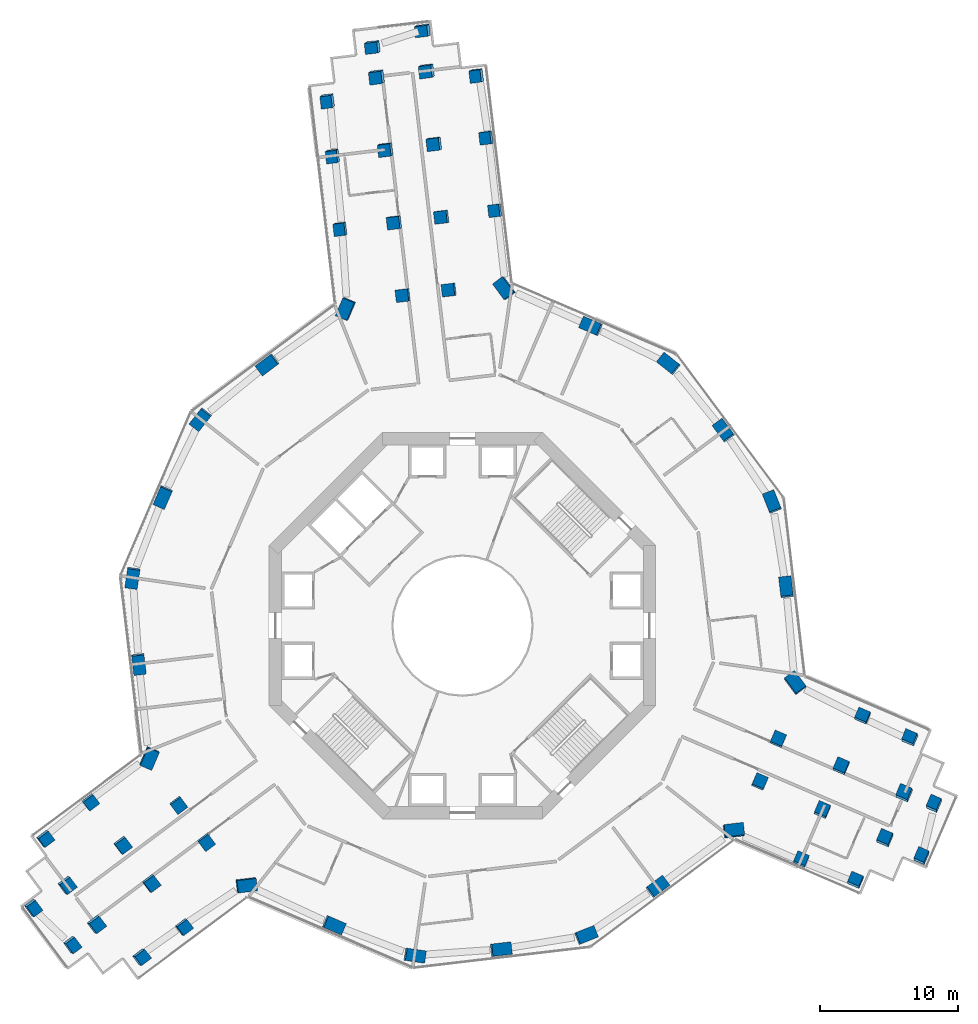
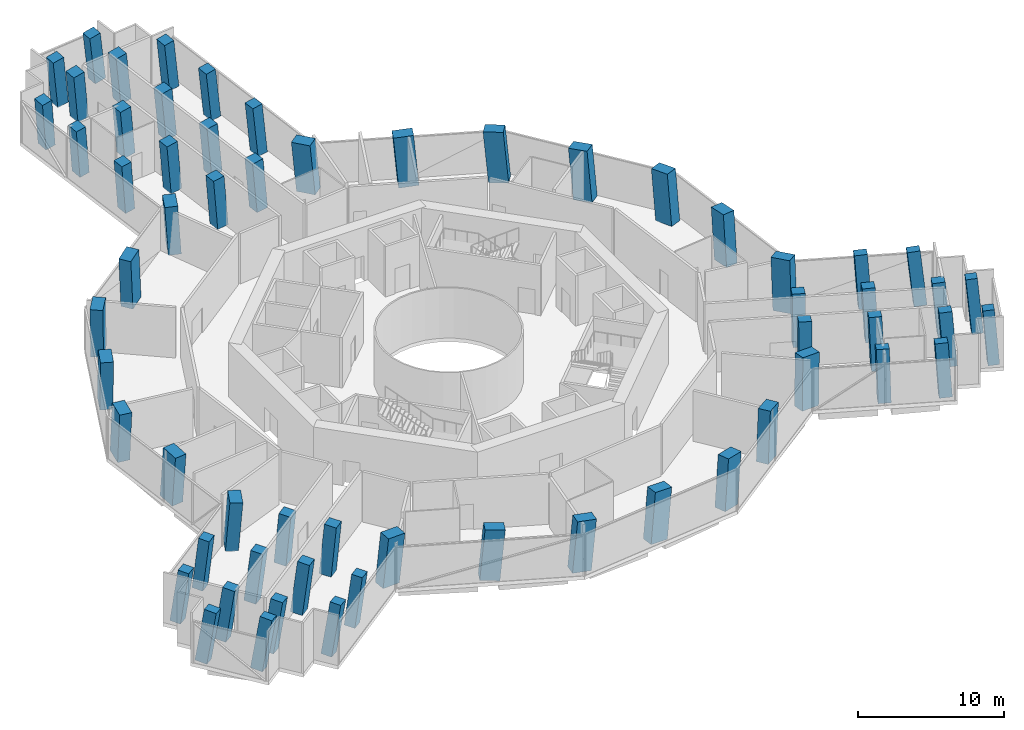
# One storey, part 1 of 17: 61 columns.
"""IFC4 building model written with IfcOpenShell, lengths in metres."""

from ifc_helpers import new_model, si_unit, direction, frame, origin, origin_2d, place, context, subcontext, project, spatial, rectangle, extrude, material, material_profile, profile_set, type_object, element, save


model = new_model("IFC4")

# Units and contexts
model_context = context("Model", 3, precision=1e-05, world=origin(), true_north=direction((0.0, 1.0)))
body_context = subcontext(model_context, "Body", "Model", "MODEL_VIEW")
ifc_project = project(units=[si_unit("LENGTHUNIT", "METRE"), si_unit("AREAUNIT", "SQUARE_METRE"), si_unit("VOLUMEUNIT", "CUBIC_METRE"), si_unit("PLANEANGLEUNIT", "RADIAN"), si_unit("MASSUNIT", "GRAM", prefix="KILO")], contexts=[model_context])

# Site, building, storey
site_placement = place(None, origin())
site = spatial("IfcSite", under=ifc_project, at=site_placement, CompositionType="ELEMENT")
building_placement = place(site_placement, origin())
building = spatial("IfcBuilding", under=site, at=building_placement, Name="Verdalira Terraces Hotel", CompositionType="ELEMENT")
storey_placement = place(building_placement, frame((0.0, 0.0, 60.0)))
storey = spatial("IfcBuildingStorey", under=building, at=storey_placement, Name="L13", CompositionType="ELEMENT", Elevation=60.0)

# Columns
ifc_material_1 = material(Name="Concrete C80", Category="concrete")
ifc_material_profile_1 = material_profile(ifc_material_1, rectangle(XDim=1.399902, YDim=0.899902, at=origin_2d()), Name="RC 1400X900")
ifc_profile_set_1 = profile_set([ifc_material_profile_1], Name="Concrete C80")
column_type_1 = type_object("IfcColumnType", Name="Column RC 1400X900 C80", PredefinedType="COLUMN", material=ifc_profile_set_1)
column_1_placement = place(storey_placement, frame((-8.424316, 22.956787, 0.0), z_axis=(-0.084837531, -0.031915624, 0.99588352), x_axis=(0.390902536, 0.918292025, 0.062729293)))
element("IfcColumn", 1, at=column_1_placement, inside=storey, type_object=column_type_1, Name="Column C07", PredefinedType="COLUMN", context=body_context, shape_type="SweptSolid", body=[
    extrude(rectangle(XDim=1.399902, YDim=0.899902, at=origin_2d()), origin(), (0.0, 0.0, 1.0), 4.207275),
])
column_2_placement = place(storey_placement, frame((-14.115479, 18.923584, 0.0), z_axis=(-0.069769341, -0.052936472, 0.996157602), x_axis=(-0.798641913, -0.595400375, -0.087575616)))
element("IfcColumn", 2, at=column_2_placement, inside=storey, type_object=column_type_1, Name="Column C08", PredefinedType="COLUMN", context=body_context, shape_type="SweptSolid", body=[
    extrude(rectangle(XDim=1.399902, YDim=0.899902, at=origin_2d()), origin(), (0.0, 0.0, 1.0), 4.206055),
])
column_3_placement = place(storey_placement, frame((-18.958496, 14.961914, 0.0), z_axis=(-0.054900108, -0.070801407, 0.995978483), x_axis=(0.616934701, 0.781898511, 0.089589582)))
element("IfcColumn", 3, at=column_3_placement, inside=storey, type_object=column_type_1, Name="Column C09", PredefinedType="COLUMN", context=body_context, shape_type="SweptSolid", body=[
    extrude(rectangle(XDim=1.399902, YDim=0.899902, at=origin_2d()), origin(), (0.0, 0.0, 1.0), 4.206787),
])
column_4_placement = place(storey_placement, frame((-21.686279, 9.330566, 0.0), z_axis=(-0.033956088, -0.080681987, 0.996161333), x_axis=(-0.394158125, -0.914864644, -0.087533175)))
element("IfcColumn", 4, at=column_4_placement, inside=storey, type_object=column_type_1, Name="Column C10", PredefinedType="COLUMN", context=body_context, shape_type="SweptSolid", body=[
    extrude(rectangle(XDim=1.399902, YDim=0.899902, at=origin_2d()), origin(), (0.0, 0.0, 1.0), 4.206055),
])
column_5_placement = place(storey_placement, frame((-23.899414, 3.478027, 0.0), z_axis=(-0.012187156, -0.0887341, 0.995980789), x_axis=(0.143848052, 0.985538451, 0.089563943)))
element("IfcColumn", 5, at=column_5_placement, inside=storey, type_object=column_type_1, Name="Column C11", PredefinedType="COLUMN", context=body_context, shape_type="SweptSolid", body=[
    extrude(rectangle(XDim=1.399902, YDim=0.899902, at=origin_2d()), origin(), (0.0, 0.0, 1.0), 4.206787),
])
column_6_placement = place(storey_placement, frame((-23.446045, -2.762695, 0.0), z_axis=(0.010970439, -0.0868348, 0.99616232), x_axis=(0.116510829, -0.989325596, -0.087521946)))
element("IfcColumn", 6, at=column_6_placement, inside=storey, type_object=column_type_1, Name="Column C12", PredefinedType="COLUMN", context=body_context, shape_type="SweptSolid", body=[
    extrude(rectangle(XDim=1.399902, YDim=0.899902, at=origin_2d()), origin(), (0.0, 0.0, 1.0), 4.206055),
])
column_7_placement = place(storey_placement, frame((-22.69458, -9.567871, 0.0), z_axis=(0.036149494, -0.083845937, 0.995822812), x_axis=(0.398547197, 0.915010723, 0.062574035)))
element("IfcColumn", 7, at=column_7_placement, inside=storey, type_object=column_type_1, Name="Column C13", PredefinedType="COLUMN", context=body_context, shape_type="SweptSolid", body=[
    extrude(rectangle(XDim=1.399902, YDim=0.899902, at=origin_2d()), origin(), (0.0, 0.0, 1.0), 4.20752),
])
column_8_placement = place(storey_placement, frame((-15.669189, -18.773926, 0.0), z_axis=(0.070097916, -0.057563852, 0.995877846), x_axis=(-0.990730793, -0.120466253, 0.06277242)))
element("IfcColumn", 8, at=column_8_placement, inside=storey, type_object=column_type_1, Name="Column C20", PredefinedType="COLUMN", context=body_context, shape_type="SweptSolid", body=[
    extrude(rectangle(XDim=1.399902, YDim=0.899902, at=origin_2d()), origin(), (0.0, 0.0, 1.0), 4.207275),
])
column_9_placement = place(storey_placement, frame((-9.330566, -21.686279, 0.0), z_axis=(0.080681987, -0.033956088, 0.996161333), x_axis=(0.914864644, -0.394158125, -0.087533175)))
element("IfcColumn", 9, at=column_9_placement, inside=storey, type_object=column_type_1, Name="Column C21", PredefinedType="COLUMN", context=body_context, shape_type="SweptSolid", body=[
    extrude(rectangle(XDim=1.399902, YDim=0.899902, at=origin_2d()), origin(), (0.0, 0.0, 1.0), 4.206055),
])
column_10_placement = place(storey_placement, frame((-3.478027, -23.899414, 0.0), z_axis=(0.0887341, -0.012187156, 0.995980789), x_axis=(-0.985538451, 0.143848052, 0.089563943)))
element("IfcColumn", 10, at=column_10_placement, inside=storey, type_object=column_type_1, Name="Column C22", PredefinedType="COLUMN", context=body_context, shape_type="SweptSolid", body=[
    extrude(rectangle(XDim=1.399902, YDim=0.899902, at=origin_2d()), origin(), (0.0, 0.0, 1.0), 4.206787),
])
column_11_placement = place(storey_placement, frame((2.762695, -23.446045, 0.0), z_axis=(0.0868348, 0.010970439, 0.99616232), x_axis=(0.989325596, 0.116510829, -0.087521946)))
element("IfcColumn", 11, at=column_11_placement, inside=storey, type_object=column_type_1, Name="Column C23", PredefinedType="COLUMN", context=body_context, shape_type="SweptSolid", body=[
    extrude(rectangle(XDim=1.399902, YDim=0.899902, at=origin_2d()), origin(), (0.0, 0.0, 1.0), 4.206055),
])
column_12_placement = place(storey_placement, frame((8.937744, -22.436523, 0.0), z_axis=(0.082930694, 0.033833866, 0.995980808), x_axis=(-0.925330874, -0.368430604, 0.089563737)))
element("IfcColumn", 12, at=column_12_placement, inside=storey, type_object=column_type_1, Name="Column C24", PredefinedType="COLUMN", context=body_context, shape_type="SweptSolid", body=[
    extrude(rectangle(XDim=1.399902, YDim=0.899902, at=origin_2d()), origin(), (0.0, 0.0, 1.0), 4.206787),
])
column_13_placement = place(storey_placement, frame((14.115479, -18.923584, 0.0), z_axis=(0.069769341, 0.052936472, 0.996157602), x_axis=(0.798641913, 0.595400375, -0.087575616)))
element("IfcColumn", 13, at=column_13_placement, inside=storey, type_object=column_type_1, Name="Column C25", PredefinedType="COLUMN", context=body_context, shape_type="SweptSolid", body=[
    extrude(rectangle(XDim=1.399902, YDim=0.899902, at=origin_2d()), origin(), (0.0, 0.0, 1.0), 4.206055),
])
column_14_placement = place(storey_placement, frame((19.633301, -14.870117, 0.0), z_axis=(0.054543369, 0.073227374, 0.995822661), x_axis=(-0.99170285, -0.112293396, 0.062575163)))
element("IfcColumn", 14, at=column_14_placement, inside=storey, type_object=column_type_1, Name="Column C26", PredefinedType="COLUMN", context=body_context, shape_type="SweptSolid", body=[
    extrude(rectangle(XDim=1.399902, YDim=0.899902, at=origin_2d()), origin(), (0.0, 0.0, 1.0), 4.20752),
])
column_15_placement = place(storey_placement, frame((24.093262, -4.182861, 0.0), z_axis=(0.014797173, 0.089479375, 0.99587875), x_axis=(0.59972786, -0.797738666, 0.062765553)))
element("IfcColumn", 15, at=column_15_placement, inside=storey, type_object=column_type_1, Name="Column C33", PredefinedType="COLUMN", context=body_context, shape_type="SweptSolid", body=[
    extrude(rectangle(XDim=1.399902, YDim=0.899902, at=origin_2d()), origin(), (0.0, 0.0, 1.0), 4.207275),
])
column_16_placement = place(storey_placement, frame((23.446045, 2.762695, 0.0), z_axis=(-0.010970439, 0.0868348, 0.99616232), x_axis=(-0.116510829, 0.989325596, -0.087521946)))
element("IfcColumn", 16, at=column_16_placement, inside=storey, type_object=column_type_1, Name="Column C34", PredefinedType="COLUMN", context=body_context, shape_type="SweptSolid", body=[
    extrude(rectangle(XDim=1.399902, YDim=0.899902, at=origin_2d()), origin(), (0.0, 0.0, 1.0), 4.206055),
])
column_17_placement = place(storey_placement, frame((22.436523, 8.937744, 0.0), z_axis=(-0.033833866, 0.082930694, 0.995980808), x_axis=(0.368430604, -0.925330874, 0.089563737)))
element("IfcColumn", 17, at=column_17_placement, inside=storey, type_object=column_type_1, Name="Column C35", PredefinedType="COLUMN", context=body_context, shape_type="SweptSolid", body=[
    extrude(rectangle(XDim=1.399902, YDim=0.899902, at=origin_2d()), origin(), (0.0, 0.0, 1.0), 4.206787),
])
column_18_placement = place(storey_placement, frame((18.923584, 14.115479, 0.0), z_axis=(-0.052936472, 0.069769341, 0.996157602), x_axis=(-0.595400375, 0.798641913, -0.087575616)))
element("IfcColumn", 18, at=column_18_placement, inside=storey, type_object=column_type_1, Name="Column C36", PredefinedType="COLUMN", context=body_context, shape_type="SweptSolid", body=[
    extrude(rectangle(XDim=1.399902, YDim=0.899902, at=origin_2d()), origin(), (0.0, 0.0, 1.0), 4.206055),
])
column_19_placement = place(storey_placement, frame((14.961914, 18.958496, 0.0), z_axis=(-0.070801407, 0.054900108, 0.995978483), x_axis=(0.781898511, -0.616934701, 0.089589582)))
element("IfcColumn", 19, at=column_19_placement, inside=storey, type_object=column_type_1, Name="Column C37", PredefinedType="COLUMN", context=body_context, shape_type="SweptSolid", body=[
    extrude(rectangle(XDim=1.399902, YDim=0.899902, at=origin_2d()), origin(), (0.0, 0.0, 1.0), 4.206787),
])
column_20_placement = place(storey_placement, frame((9.330566, 21.686279, 0.0), z_axis=(-0.080681987, 0.033956088, 0.996161333), x_axis=(-0.914864644, 0.394158125, -0.087533175)))
element("IfcColumn", 20, at=column_20_placement, inside=storey, type_object=column_type_1, Name="Column C38", PredefinedType="COLUMN", context=body_context, shape_type="SweptSolid", body=[
    extrude(rectangle(XDim=1.399902, YDim=0.899902, at=origin_2d()), origin(), (0.0, 0.0, 1.0), 4.206055),
])
column_21_placement = place(storey_placement, frame((3.061279, 24.437988, 0.0), z_axis=(-0.090692825, 0.010618546, 0.995822302), x_axis=(0.593136982, -0.802665892, 0.062577844)))
element("IfcColumn", 21, at=column_21_placement, inside=storey, type_object=column_type_1, Name="Column C39", PredefinedType="COLUMN", context=body_context, shape_type="SweptSolid", body=[
    extrude(rectangle(XDim=1.399902, YDim=0.899902, at=origin_2d()), origin(), (0.0, 0.0, 1.0), 4.20752),
])
ifc_material_2 = material(Name="Concrete C80", Category="concrete")
ifc_material_profile_2 = material_profile(ifc_material_2, rectangle(XDim=0.899902, YDim=0.800049, at=origin_2d()), Name="RC 900X800")
ifc_profile_set_2 = profile_set([ifc_material_profile_2], Name="Concrete C80")
column_type_2 = type_object("IfcColumnType", Name="Column RC 900X800 C80", PredefinedType="COLUMN", material=ifc_profile_set_2)
column_22_placement = place(storey_placement, frame((2.397949, 30.067627, 0.0), z_axis=(-0.107903708, -0.01725996, 0.994011511), x_axis=(-0.117697258, 0.993039478, 0.004466599)))
element("IfcColumn", 22, at=column_22_placement, inside=storey, type_object=column_type_2, Name="Column C01", PredefinedType="COLUMN", context=body_context, shape_type="SweptSolid", body=[
    extrude(rectangle(XDim=0.899902, YDim=0.800049, at=origin_2d()), origin(), (0.0, 0.0, 1.0), 4.215088),
])
column_23_placement = place(storey_placement, frame((1.775391, 35.353027, 0.0), z_axis=(-0.123782431, -0.044764995, 0.99129915), x_axis=(-0.120609218, 0.992254244, 0.029747785)))
element("IfcColumn", 23, at=column_23_placement, inside=storey, type_object=column_type_2, Name="Column C02", PredefinedType="COLUMN", context=body_context, shape_type="SweptSolid", body=[
    extrude(rectangle(XDim=0.899902, YDim=0.800049, at=origin_2d()), origin(), (0.0, 0.0, 1.0), 4.226807),
])
column_24_placement = place(storey_placement, frame((1.08252, 39.86499, 0.0), z_axis=(-0.136551902, -0.072363297, 0.987986402), x_axis=(-0.124870323, 0.990630856, 0.055298367)))
element("IfcColumn", 24, at=column_24_placement, inside=storey, type_object=column_type_2, Name="Column C03", PredefinedType="COLUMN", context=body_context, shape_type="SweptSolid", body=[
    extrude(rectangle(XDim=0.899902, YDim=0.800049, at=origin_2d()), origin(), (0.0, 0.0, 1.0), 4.240967),
])
column_25_placement = place(storey_placement, frame((-9.718994, 38.048584, 0.0), z_axis=(-0.12923382, -0.11172324, 0.985300227), x_axis=(0.129772868, -0.98699248, -0.094893873)))
element("IfcColumn", 25, at=column_25_placement, inside=storey, type_object=column_type_2, Name="Column C04", PredefinedType="COLUMN", context=body_context, shape_type="SweptSolid", body=[
    extrude(rectangle(XDim=0.899902, YDim=0.800049, at=origin_2d()), origin(), (0.0, 0.0, 1.0), 4.252441),
])
column_26_placement = place(storey_placement, frame((-9.3479, 34.04248, 0.0), z_axis=(-0.118341357, -0.085657699, 0.98927149), x_axis=(0.12595958, -0.989519193, -0.070611263)))
element("IfcColumn", 26, at=column_26_placement, inside=storey, type_object=column_type_2, Name="Column C05", PredefinedType="COLUMN", context=body_context, shape_type="SweptSolid", body=[
    extrude(rectangle(XDim=0.899902, YDim=0.800049, at=origin_2d()), origin(), (0.0, 0.0, 1.0), 4.235352),
])
column_27_placement = place(storey_placement, frame((-8.814453, 28.746338, 0.0), z_axis=(-0.102586038, -0.058612328, 0.992995821), x_axis=(0.12178773, -0.991492363, -0.045941739)))
element("IfcColumn", 27, at=column_27_placement, inside=storey, type_object=column_type_2, Name="Column C06", PredefinedType="COLUMN", context=body_context, shape_type="SweptSolid", body=[
    extrude(rectangle(XDim=0.899902, YDim=0.800049, at=origin_2d()), origin(), (0.0, 0.0, 1.0), 4.219482),
])
column_28_placement = place(storey_placement, frame((-26.966553, -12.754395, 0.0), z_axis=(0.078192467, -0.076107335, 0.994028979), x_axis=(-0.800444534, -0.599163148, 0.017090068)))
element("IfcColumn", 28, at=column_28_placement, inside=storey, type_object=column_type_2, Name="Column C14", PredefinedType="COLUMN", context=body_context, shape_type="SweptSolid", body=[
    extrude(rectangle(XDim=0.899902, YDim=0.800049, at=origin_2d()), origin(), (0.0, 0.0, 1.0), 4.215088),
])
column_29_placement = place(storey_placement, frame((-30.256104, -15.407715, 0.0), z_axis=(0.117960034, -0.064667273, 0.990910477), x_axis=(-0.796105581, -0.602612601, 0.055443281)))
element("IfcColumn", 29, at=column_29_placement, inside=storey, type_object=column_type_2, Name="Column C15", PredefinedType="COLUMN", context=body_context, shape_type="SweptSolid", body=[
    extrude(rectangle(XDim=0.899902, YDim=0.800049, at=origin_2d()), origin(), (0.0, 0.0, 1.0), 4.228271),
])
column_30_placement = place(storey_placement, frame((-31.143066, -20.42334, 0.0), z_axis=(0.13608891, -0.067612518, 0.988386744), x_axis=(0.584856888, -0.799783085, -0.135238444)))
element("IfcColumn", 30, at=column_30_placement, inside=storey, type_object=column_type_2, Name="Column C16", PredefinedType="COLUMN", context=body_context, shape_type="SweptSolid", body=[
    extrude(rectangle(XDim=0.899902, YDim=0.800049, at=origin_2d()), origin(), (0.0, 0.0, 1.0), 4.239258),
])
column_31_placement = place(storey_placement, frame((-28.318115, -23.106689, 0.0), z_axis=(0.145773126, -0.057146748, 0.987666161), x_axis=(0.583470841, -0.801256193, -0.132477511)))
element("IfcColumn", 31, at=column_31_placement, inside=storey, type_object=column_type_2, Name="Column C17", PredefinedType="COLUMN", context=body_context, shape_type="SweptSolid", body=[
    extrude(rectangle(XDim=0.899902, YDim=0.800049, at=origin_2d()), origin(), (0.0, 0.0, 1.0), 4.242188),
])
column_32_placement = place(storey_placement, frame((-23.30249, -23.993896, 0.0), z_axis=(0.149001077, -0.038632041, 0.988082104), x_axis=(0.790781518, 0.60458518, -0.095610413)))
element("IfcColumn", 32, at=column_32_placement, inside=storey, type_object=column_type_2, Name="Column C18", PredefinedType="COLUMN", context=body_context, shape_type="SweptSolid", body=[
    extrude(rectangle(XDim=0.899902, YDim=0.800049, at=origin_2d()), origin(), (0.0, 0.0, 1.0), 4.240479),
])
column_33_placement = place(storey_placement, frame((-20.210205, -21.812012, 0.0), z_axis=(0.111323949, -0.050717456, 0.992489153), x_axis=(0.79636305, 0.601976927, -0.058563402)))
element("IfcColumn", 33, at=column_33_placement, inside=storey, type_object=column_type_2, Name="Column C19", PredefinedType="COLUMN", context=body_context, shape_type="SweptSolid", body=[
    extrude(rectangle(XDim=0.899902, YDim=0.800049, at=origin_2d()), origin(), (0.0, 0.0, 1.0), 4.22168),
])
column_34_placement = place(storey_placement, frame((24.528809, -16.976562, 0.0), z_axis=(0.026817141, 0.105762632, 0.994029731), x_axis=(0.919097216, -0.3936601, 0.017088995)))
element("IfcColumn", 34, at=column_34_placement, inside=storey, type_object=column_type_2, Name="Column C27", PredefinedType="COLUMN", context=body_context, shape_type="SweptSolid", body=[
    extrude(rectangle(XDim=0.899902, YDim=0.800049, at=origin_2d()), origin(), (0.0, 0.0, 1.0), 4.215088),
])
column_35_placement = place(storey_placement, frame((28.471436, -18.498779, 0.0), z_axis=(-0.002944654, 0.134530293, 0.990905106), x_axis=(0.919836084, -0.38836299, 0.055459586)))
element("IfcColumn", 35, at=column_35_placement, inside=storey, type_object=column_type_2, Name="Column C28", PredefinedType="COLUMN", context=body_context, shape_type="SweptSolid", body=[
    extrude(rectangle(XDim=0.899902, YDim=0.800049, at=origin_2d()), origin(), (0.0, 0.0, 1.0), 4.228516),
])
column_36_placement = place(storey_placement, frame((33.258545, -16.759033, 0.0), z_axis=(-0.009444976, 0.151695523, 0.988382143), x_axis=(0.400486226, 0.906263837, -0.135265074)))
element("IfcColumn", 36, at=column_36_placement, inside=storey, type_object=column_type_2, Name="Column C29", PredefinedType="COLUMN", context=body_context, shape_type="SweptSolid", body=[
    extrude(rectangle(XDim=0.899902, YDim=0.800049, at=origin_2d()), origin(), (0.0, 0.0, 1.0), 4.239258),
])
column_37_placement = place(storey_placement, frame((34.169922, -12.970947, 0.0), z_axis=(-0.023422701, 0.154808512, 0.987666797), x_axis=(0.402013112, 0.906000037, -0.132474115)))
element("IfcColumn", 37, at=column_37_placement, inside=storey, type_object=column_type_2, Name="Column C30", PredefinedType="COLUMN", context=body_context, shape_type="SweptSolid", body=[
    extrude(rectangle(XDim=0.899902, YDim=0.800049, at=origin_2d()), origin(), (0.0, 0.0, 1.0), 4.242188),
])
column_38_placement = place(storey_placement, frame((32.43042, -8.183594, 0.0), z_axis=(-0.040992576, 0.148367793, 0.988082287), x_axis=(-0.918844533, 0.382862264, -0.095609682)))
element("IfcColumn", 38, at=column_38_placement, inside=storey, type_object=column_type_2, Name="Column C31", PredefinedType="COLUMN", context=body_context, shape_type="SweptSolid", body=[
    extrude(rectangle(XDim=0.899902, YDim=0.800049, at=origin_2d()), origin(), (0.0, 0.0, 1.0), 4.240479),
])
column_39_placement = place(storey_placement, frame((28.994873, -6.59668, 0.0), z_axis=(-0.011739583, 0.121790948, 0.992486346), x_axis=(-0.919502419, 0.388695708, -0.058574301)))
element("IfcColumn", 39, at=column_39_placement, inside=storey, type_object=column_type_2, Name="Column C32", PredefinedType="COLUMN", context=body_context, shape_type="SweptSolid", body=[
    extrude(rectangle(XDim=0.899902, YDim=0.800049, at=origin_2d()), origin(), (0.0, 0.0, 1.0), 4.22168),
])
column_40_placement = place(storey_placement, frame((-2.817627, 43.141113, 0.0), z_axis=(-0.148047452, -0.086566715, 0.985184326), x_axis=(-0.982057959, -0.104788162, -0.156785225)))
element("IfcColumn", 40, at=column_40_placement, inside=storey, type_object=column_type_2, Name="Column C40", PredefinedType="COLUMN", context=body_context, shape_type="SweptSolid", body=[
    extrude(rectangle(XDim=0.899902, YDim=0.800049, at=origin_2d()), origin(), (0.0, 0.0, 1.0), 4.25293),
])
column_41_placement = place(storey_placement, frame((-6.443115, 41.94873, 0.0), z_axis=(-0.143486239, -0.099769121, 0.984610492), x_axis=(-0.982752752, -0.102911345, -0.153643367)))
element("IfcColumn", 41, at=column_41_placement, inside=storey, type_object=column_type_2, Name="Column C41", PredefinedType="COLUMN", context=body_context, shape_type="SweptSolid", body=[
    extrude(rectangle(XDim=0.899902, YDim=0.800049, at=origin_2d()), origin(), (0.0, 0.0, 1.0), 4.255371),
])
ifc_material_3 = material(Name="Concrete C80", Category="concrete")
ifc_material_profile_3 = material_profile(ifc_material_3, rectangle(XDim=0.899902, YDim=0.899902, at=origin_2d()), Name="RC 900X900")
ifc_profile_set_3 = profile_set([ifc_material_profile_3], Name="Concrete C80")
column_type_3 = type_object("IfcColumnType", Name="Column RC 900X900 C80", PredefinedType="COLUMN", material=ifc_profile_set_3)
for number, where, z_axis, x_axis, name in (
    (42, (-0.945312, 24.314697, 0.0), (-0.090121577, -0.004236236, 0.995921762), (-0.116188328, 0.993207288, -0.006289264), "Column C42"),
    (43, (-4.278809, 23.922119, 0.0), (-0.088555658, -0.016654963, 0.995931979), (-0.118094059, 0.992983646, 0.006105044), "Column C43"),
):
    element("IfcColumn", number, at=place(storey_placement, frame(where, z_axis=z_axis, x_axis=x_axis)), inside=storey, type_object=column_type_3, Name=name, PredefinedType="COLUMN", context=body_context, shape_type="SweptSolid", body=[
        extrude(rectangle(XDim=0.899902, YDim=0.899902, at=origin_2d()), origin(), (0.0, 0.0, 1.0), 4.207031),
    ])
column_42_placement = place(storey_placement, frame((-1.473145, 29.611328, 0.0), z_axis=(-0.106148993, -0.031503029, 0.993851071), x_axis=(-0.118555949, 0.992769264, 0.018806283)))
element("IfcColumn", 44, at=column_42_placement, inside=storey, type_object=column_type_3, Name="Column C44", PredefinedType="COLUMN", context=body_context, shape_type="SweptSolid", body=[
    extrude(rectangle(XDim=0.899902, YDim=0.899902, at=origin_2d()), origin(), (0.0, 0.0, 1.0), 4.21582),
])
column_43_placement = place(storey_placement, frame((-4.901611, 29.20752, 0.0), z_axis=(-0.104437686, -0.044229707, 0.993547434), x_axis=(-0.120713751, 0.992188079, 0.031480252)))
element("IfcColumn", 45, at=column_43_placement, inside=storey, type_object=column_type_3, Name="Column C45", PredefinedType="COLUMN", context=body_context, shape_type="SweptSolid", body=[
    extrude(rectangle(XDim=0.899902, YDim=0.899902, at=origin_2d()), origin(), (0.0, 0.0, 1.0), 4.217041),
])
column_44_placement = place(storey_placement, frame((-2.000977, 34.908203, 0.0), z_axis=(-0.121930468, -0.058713677, 0.990800517), x_axis=(-0.12278389, 0.991473331, 0.043643445)))
element("IfcColumn", 46, at=column_44_placement, inside=storey, type_object=column_type_3, Name="Column C46", PredefinedType="COLUMN", context=body_context, shape_type="SweptSolid", body=[
    extrude(rectangle(XDim=0.899902, YDim=0.899902, at=origin_2d()), origin(), (0.0, 0.0, 1.0), 4.22876),
])
column_45_placement = place(storey_placement, frame((-5.52417, 34.49292, 0.0), z_axis=(-0.120236185, -0.071599379, 0.990159981), x_axis=(-0.123941068, 0.990674821, 0.056586311)))
element("IfcColumn", 47, at=column_45_placement, inside=storey, type_object=column_type_3, Name="Column C47", PredefinedType="COLUMN", context=body_context, shape_type="SweptSolid", body=[
    extrude(rectangle(XDim=0.899902, YDim=0.899902, at=origin_2d()), origin(), (0.0, 0.0, 1.0), 4.231689),
])
column_46_placement = place(storey_placement, frame((-2.528809, 40.204834, 0.0), z_axis=(-0.137537139, -0.08555822, 0.98679447), x_axis=(-0.126789178, 0.989587274, 0.068128782)))
element("IfcColumn", 48, at=column_46_placement, inside=storey, type_object=column_type_3, Name="Column C48", PredefinedType="COLUMN", context=body_context, shape_type="SweptSolid", body=[
    extrude(rectangle(XDim=0.899902, YDim=0.899902, at=origin_2d()), origin(), (0.0, 0.0, 1.0), 4.246094),
])
column_47_placement = place(storey_placement, frame((-6.146973, 39.778564, 0.0), z_axis=(-0.135734459, -0.09874208, 0.985812436), x_axis=(-0.128568964, 0.988362849, 0.081295145)))
element("IfcColumn", 49, at=column_47_placement, inside=storey, type_object=column_type_3, Name="Column C49", PredefinedType="COLUMN", context=body_context, shape_type="SweptSolid", body=[
    extrude(rectangle(XDim=0.899902, YDim=0.899902, at=origin_2d()), origin(), (0.0, 0.0, 1.0), 4.250244),
])
for number, where, z_axis, x_axis, name in (
    (50, (-20.584473, -12.976074, 0.0), (0.048745789, -0.075904157, 0.995922892), (-0.801867145, -0.597469278, -0.006288394), "Column C50"),
    (51, (-18.577637, -15.666504, 0.0), (0.058669697, -0.068360932, 0.995934059), (-0.801049082, -0.598567553, 0.006103487), "Column C51"),
):
    element("IfcColumn", number, at=place(storey_placement, frame(where, z_axis=z_axis, x_axis=x_axis)), inside=storey, type_object=column_type_3, Name=name, PredefinedType="COLUMN", context=body_context, shape_type="SweptSolid", body=[
        extrude(rectangle(XDim=0.899902, YDim=0.899902, at=origin_2d()), origin(), (0.0, 0.0, 1.0), 4.207031),
    ])
column_48_placement = place(storey_placement, frame((-24.634521, -15.880859, 0.0), z_axis=(0.089688101, -0.067338451, 0.993690886), x_axis=(-0.799057772, -0.600432094, 0.031432115)))
element("IfcColumn", 52, at=column_48_placement, inside=storey, type_object=column_type_3, Name="Column C52", PredefinedType="COLUMN", context=body_context, shape_type="SweptSolid", body=[
    extrude(rectangle(XDim=0.899902, YDim=0.899902, at=origin_2d()), origin(), (0.0, 0.0, 1.0), 4.216553),
])
column_49_placement = place(storey_placement, frame((-22.572021, -18.645996, 0.0), z_axis=(0.099831352, -0.059551572, 0.993220676), x_axis=(-0.797600528, -0.601571768, 0.044099963)))
element("IfcColumn", 53, at=column_49_placement, inside=storey, type_object=column_type_3, Name="Column C53", PredefinedType="COLUMN", context=body_context, shape_type="SweptSolid", body=[
    extrude(rectangle(XDim=0.899902, YDim=0.899902, at=origin_2d()), origin(), (0.0, 0.0, 1.0), 4.218506),
])
column_50_placement = place(storey_placement, frame((-28.684326, -18.785645, 0.0), z_axis=(0.130163854, -0.058709261, 0.989752794), x_axis=(-0.794504177, -0.603360471, 0.068696828)))
element("IfcColumn", 54, at=column_50_placement, inside=storey, type_object=column_type_3, Name="Column C54", PredefinedType="COLUMN", context=body_context, shape_type="SweptSolid", body=[
    extrude(rectangle(XDim=0.899902, YDim=0.899902, at=origin_2d()), origin(), (0.0, 0.0, 1.0), 4.233398),
])
column_51_placement = place(storey_placement, frame((-26.566406, -21.625244, 0.0), z_axis=(0.14052115, -0.050758152, 0.988775716), x_axis=(-0.792566304, -0.604299262, 0.081615288)))
element("IfcColumn", 55, at=column_51_placement, inside=storey, type_object=column_type_3, Name="Column C55", PredefinedType="COLUMN", context=body_context, shape_type="SweptSolid", body=[
    extrude(rectangle(XDim=0.899902, YDim=0.899902, at=origin_2d()), origin(), (0.0, 0.0, 1.0), 4.237549),
])
for number, where, z_axis, x_axis, name in (
    (56, (21.529785, -11.338623, 0.0), (0.041375955, 0.080140524, 0.995924458), (0.91824928, -0.395952941, -0.006287188), "Column C56"),
    (57, (22.856445, -8.255615, 0.0), (0.029886063, 0.085015695, 0.9959313), (0.918859878, -0.394536749, 0.006105553), "Column C57"),
):
    element("IfcColumn", number, at=place(storey_placement, frame(where, z_axis=z_axis, x_axis=x_axis)), inside=storey, type_object=column_type_3, Name=name, PredefinedType="COLUMN", context=body_context, shape_type="SweptSolid", body=[
        extrude(rectangle(XDim=0.899902, YDim=0.899902, at=origin_2d()), origin(), (0.0, 0.0, 1.0), 4.207031),
    ])
column_52_placement = place(storey_placement, frame((26.070312, -13.393799, 0.0), z_axis=(0.013490845, 0.111342896, 0.993690473), x_axis=(0.919456243, -0.391933891, 0.031433141)))
element("IfcColumn", 58, at=column_52_placement, inside=storey, type_object=column_type_3, Name="Column C58", PredefinedType="COLUMN", context=body_context, shape_type="SweptSolid", body=[
    extrude(rectangle(XDim=0.899902, YDim=0.899902, at=origin_2d()), origin(), (0.0, 0.0, 1.0), 4.216553),
])
column_53_placement = place(storey_placement, frame((27.433838, -10.225098, 0.0), z_axis=(0.001678317, 0.116266876, 0.993216591), x_axis=(0.919708547, -0.390115643, 0.044113202)))
element("IfcColumn", 59, at=column_53_placement, inside=storey, type_object=column_type_3, Name="Column C59", PredefinedType="COLUMN", context=body_context, shape_type="SweptSolid", body=[
    extrude(rectangle(XDim=0.899902, YDim=0.899902, at=origin_2d()), origin(), (0.0, 0.0, 1.0), 4.218506),
])
column_54_placement = place(storey_placement, frame((30.611084, -15.44873, 0.0), z_axis=(-0.014244736, 0.142101331, 0.989749614), x_axis=(0.919789186, -0.386351061, 0.068707432)))
element("IfcColumn", 60, at=column_54_placement, inside=storey, type_object=column_type_3, Name="Column C60", PredefinedType="COLUMN", context=body_context, shape_type="SweptSolid", body=[
    extrude(rectangle(XDim=0.899902, YDim=0.899902, at=origin_2d()), origin(), (0.0, 0.0, 1.0), 4.233398),
])
column_55_placement = place(storey_placement, frame((32.01123, -12.194336, 0.0), z_axis=(-0.026272282, 0.147032595, 0.988782677), x_axis=(0.919563963, -0.384376339, 0.081590117)))
element("IfcColumn", 61, at=column_55_placement, inside=storey, type_object=column_type_3, Name="Column C61", PredefinedType="COLUMN", context=body_context, shape_type="SweptSolid", body=[
    extrude(rectangle(XDim=0.899902, YDim=0.899902, at=origin_2d()), origin(), (0.0, 0.0, 1.0), 4.237549),
])

save(model, "model.ifc")
